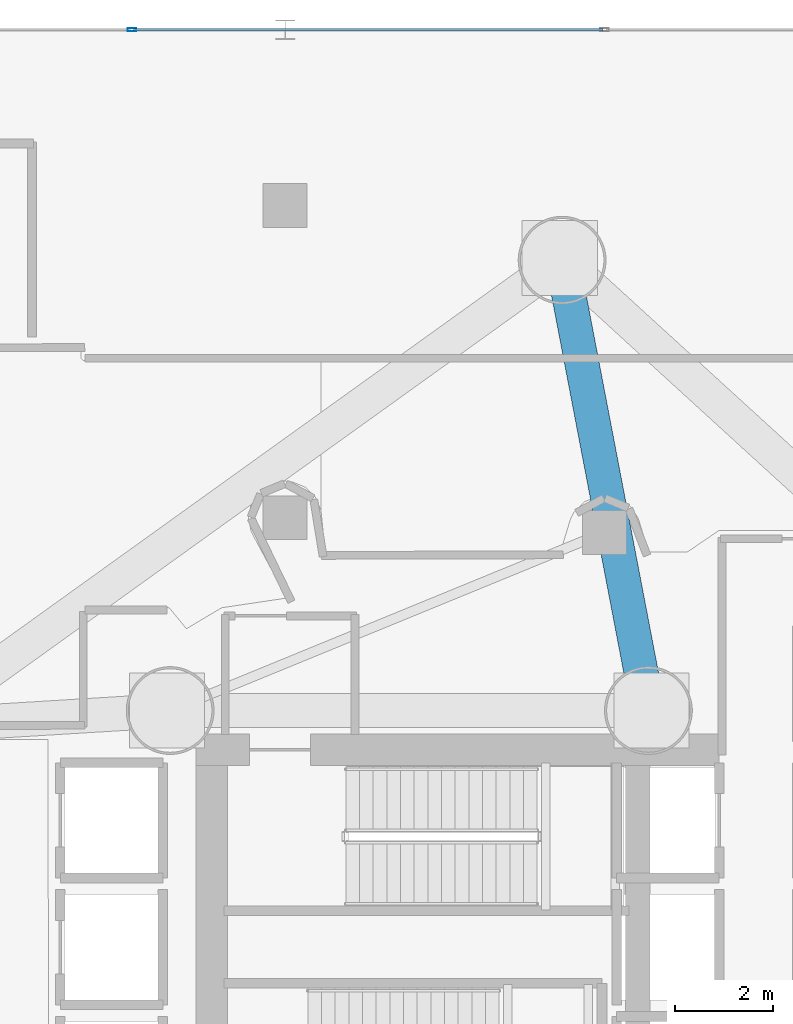
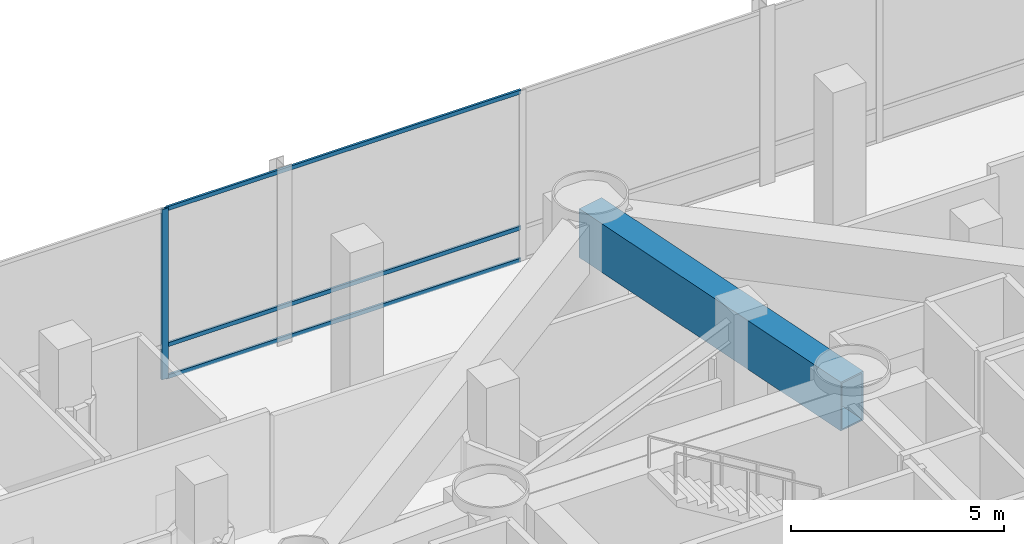
# One storey, part 20 of 40: 4 members, 1 beam, 1 element without a shape of its own.
"""IFC4 building model written with IfcOpenShell, lengths in metres."""

from ifc_helpers import new_model, si_unit, direction, frame, origin, origin_2d, place, context, subcontext, project, spatial, hollow_rectangle, extrude, material, layer, layer_set, material_profile, profile_set, type_object, element, aggregate, save


model = new_model("IFC4")

# Units and contexts
model_context = context("Model", 3, precision=1e-05, world=origin(), true_north=direction((0.0, 1.0)))
body_context = subcontext(model_context, "Body", "Model", "MODEL_VIEW")
ifc_project = project(units=[si_unit("LENGTHUNIT", "METRE"), si_unit("AREAUNIT", "SQUARE_METRE"), si_unit("VOLUMEUNIT", "CUBIC_METRE"), si_unit("PLANEANGLEUNIT", "RADIAN"), si_unit("MASSUNIT", "GRAM", prefix="KILO")], contexts=[model_context])

# Site, building, storey
site_placement = place(None, origin())
site = spatial("IfcSite", under=ifc_project, at=site_placement, CompositionType="ELEMENT")
building_placement = place(site_placement, origin())
building = spatial("IfcBuilding", under=site, at=building_placement, Name="Qianvela Tower", CompositionType="ELEMENT")
storey_placement = place(building_placement, frame((0.0, 0.0, 20.60009765625)))
storey = spatial("IfcBuildingStorey", under=building, at=storey_placement, Name="L04", CompositionType="ELEMENT", Elevation=20.60009765625)

# Beam
ifc_material_1 = material(Name="Steel Q420GJC", Category="steel")
ifc_material_profile_1 = material_profile(ifc_material_1, hollow_rectangle(XDim=0.699951171875, YDim=1.39990234375, WallThickness=0.0400390625, at=origin_2d()), Name="TG-BOX-1400x700x40")
ifc_profile_set_1 = profile_set([ifc_material_profile_1], Name="Steel Q420GJC")
beam_type = type_object("IfcBeamType", Name="BM-TG-RAD-1400", PredefinedType="BEAM", material=ifc_profile_set_1)
beam_placement = place(storey_placement, frame((38.39990234375, 33.550048828125, 4.097900390625), z_axis=(-0.188149597911, 0.982140381415, 0.0), x_axis=(-0.982140381415, -0.188149597911, 0.0)))
element("IfcBeam", 1, at=beam_placement, inside=storey, type_object=beam_type, Name="L04 Radial Outrigger Top Transfer Girder 3", PredefinedType="BEAM", context=body_context, shape_type="SweptSolid", body=[
    extrude(hollow_rectangle(XDim=0.699951171875, YDim=1.39990234375, WallThickness=0.0400390625, at=origin_2d()), origin(), (0.0, 0.0, 1.0), 9.395751953125),
])

# Curtain wall, members
ifc_material_2 = material(Name="Anodised Architectural Aluminium and Low-E Glass", Category="aluminium")
ifc_layer = layer(ifc_material_2, 0.179931640625)
ifc_layer_set = layer_set([ifc_layer], Name="Anodised Architectural Aluminium and Low-E Glass")
curtain_wall_type = type_object("IfcCurtainWallType", Name="CW-COMMONS", PredefinedType="USERDEFINED", material=ifc_layer_set)
curtain_wall_placement = place(storey_placement, origin())
curtain_wall = element("IfcCurtainWall", 2, at=curtain_wall_placement, inside=storey, type_object=curtain_wall_type, Name="L04 CW-COMMONS Curtain Wall 05", ObjectType="CURTAIN_WALL_SYSTEM", PredefinedType="USERDEFINED")
ifc_material_3 = material(Name="Anodised Architectural Aluminium 6063-T6", Category="aluminium")
ifc_material_profile_2 = material_profile(ifc_material_3, hollow_rectangle(XDim=0.070068359375, YDim=0.179931640625, WallThickness=0.0048828125, at=origin_2d()), Name="ALU-MULL-70x180")
ifc_profile_set_2 = profile_set([ifc_material_profile_2], Name="Anodised Architectural Aluminium 6063-T6")
member_type_1 = type_object("IfcMemberType", Name="CW-COMMONS-MULL", PredefinedType="MULLION", material=ifc_profile_set_2)
member_1_placement = place(storey_placement, frame((27.816650390625, 47.5, 0.0), z_axis=(0.0, 0.0, 1.0), x_axis=(0.0, -1.0, 0.0)))
member_1 = element("IfcMember", 3, at=member_1_placement, type_object=member_type_1, Name="CW-2 mullion 5", PredefinedType="MULLION", context=body_context, shape_type="SweptSolid", body=[
    extrude(hollow_rectangle(XDim=0.070068359375, YDim=0.179931640625, WallThickness=0.0048828125, at=origin_2d()), origin(), (0.0, 0.0, 1.0), 4.8798828125),
])
ifc_material_4 = material(Name="Anodised Architectural Aluminium 6063-T6", Category="aluminium")
ifc_material_profile_3 = material_profile(ifc_material_4, hollow_rectangle(XDim=0.06005859375, YDim=0.114990234375, WallThickness=0.00390625, at=origin_2d()), Name="ALU-TRAN-60x115")
ifc_profile_set_3 = profile_set([ifc_material_profile_3], Name="Anodised Architectural Aluminium 6063-T6")
member_type_2 = type_object("IfcMemberType", Name="CW-COMMONS-TRAN", PredefinedType="USERDEFINED", material=ifc_profile_set_3)
member_2_placement = place(storey_placement, frame((37.465087890625, 47.5, 0.02978515625), z_axis=(-1.0, 0.0, 0.0), x_axis=(0.0, -1.0, 0.0)))
member_2 = element("IfcMember", 4, at=member_2_placement, type_object=member_type_2, Name="CW-2 transom 4.1", ObjectType="TRANSOM", PredefinedType="USERDEFINED", context=body_context, shape_type="SweptSolid", body=[
    extrude(hollow_rectangle(XDim=0.06005859375, YDim=0.114990234375, WallThickness=0.00390625, at=origin_2d()), origin(), (0.0, 0.0, 1.0), 9.613525390625),
])
member_3_placement = place(storey_placement, frame((37.465087890625, 47.5, 0.949951171875), z_axis=(-1.0, 0.0, 0.0), x_axis=(0.0, -1.0, 0.0)))
member_3 = element("IfcMember", 5, at=member_3_placement, type_object=member_type_2, Name="CW-2 transom 4.2", ObjectType="TRANSOM", PredefinedType="USERDEFINED", context=body_context, shape_type="SweptSolid", body=[
    extrude(hollow_rectangle(XDim=0.06005859375, YDim=0.114990234375, WallThickness=0.00390625, at=origin_2d()), origin(), (0.0, 0.0, 1.0), 9.613525390625),
])
member_4_placement = place(storey_placement, frame((37.465087890625, 47.5, 4.849853515625), z_axis=(-1.0, 0.0, 0.0), x_axis=(0.0, -1.0, 0.0)))
member_4 = element("IfcMember", 6, at=member_4_placement, type_object=member_type_2, Name="CW-2 transom 4.3", ObjectType="TRANSOM", PredefinedType="USERDEFINED", context=body_context, shape_type="SweptSolid", body=[
    extrude(hollow_rectangle(XDim=0.06005859375, YDim=0.114990234375, WallThickness=0.00390625, at=origin_2d()), origin(), (0.0, 0.0, 1.0), 9.613525390625),
])
aggregate(curtain_wall, [member_1, member_2, member_3, member_4])

save(model, "model.ifc")
